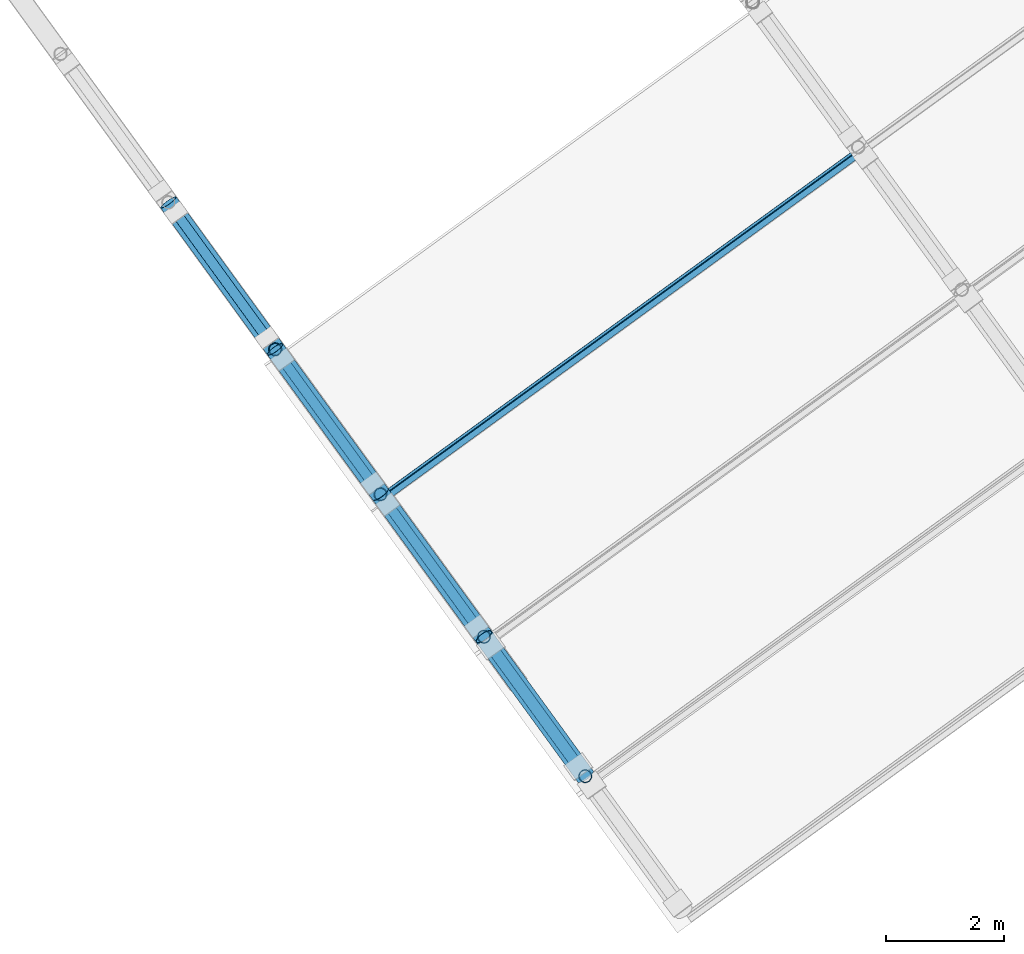
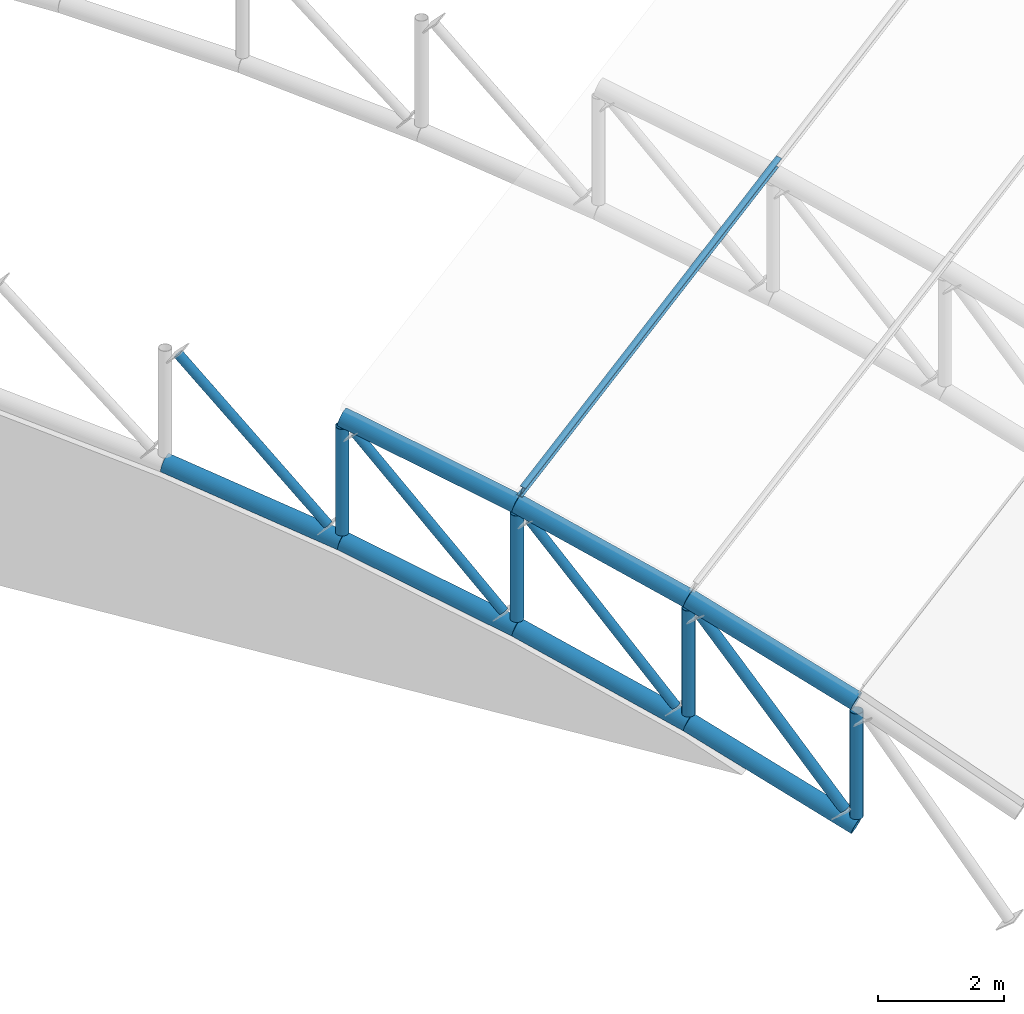
# One storey, part 14 of 69: 15 members, 1 beam.
"""IFC4 building model written with IfcOpenShell, lengths in metres."""

from ifc_helpers import new_model, si_unit, direction, frame, origin, origin_2d, place, context, subcontext, project, spatial, hollow_circle, i_section, extrude, material, material_profile, profile_set, type_object, element, save


model = new_model("IFC4")

# Units and contexts
model_context = context("Model", 3, precision=1e-05, world=origin(), true_north=direction((0.0, 1.0)))
body_context = subcontext(model_context, "Body", "Model", "MODEL_VIEW")
ifc_project = project(units=[si_unit("LENGTHUNIT", "METRE"), si_unit("AREAUNIT", "SQUARE_METRE"), si_unit("VOLUMEUNIT", "CUBIC_METRE"), si_unit("PLANEANGLEUNIT", "RADIAN"), si_unit("MASSUNIT", "GRAM", prefix="KILO")], contexts=[model_context])

# Site, building, storey
site_placement = place(None, origin())
site = spatial("IfcSite", under=ifc_project, at=site_placement, CompositionType="ELEMENT")
building_placement = place(site_placement, origin())
building = spatial("IfcBuilding", under=site, at=building_placement, Name="Okhra Congress Centre", CompositionType="ELEMENT")
storey_placement = place(building_placement, frame((0.0, 0.0, 16.800048828125)))
storey = spatial("IfcBuildingStorey", under=building, at=storey_placement, Name="L03", CompositionType="ELEMENT", Elevation=16.800048828125)

# Members
ifc_material_1 = material(Name="Steel S355J2H", Category="steel")
ifc_material_profile_1 = material_profile(ifc_material_1, hollow_circle(Radius=0.084228515625, WallThickness=0.00634765625, at=origin_2d()), Name="CHS 168.3x6.3")
ifc_profile_set_1 = profile_set([ifc_material_profile_1], Name="Steel S355J2H")
member_type_1 = type_object("IfcMemberType", Name="CHS 168.3x6.3", PredefinedType="BRACE", material=ifc_profile_set_1)
member_1_placement = place(storey_placement, frame((224.667724609375, 163.187255859375, 0.876220703125), z_axis=(-0.388305830606, 0.534492302501, 0.750690722258), x_axis=(-0.809035390265, -0.587759931689, 0.0)))
element("IfcMember", 1, at=member_1_placement, inside=storey, type_object=member_type_1, Name="Truss 1 diagonal 4", PredefinedType="BRACE", context=body_context, shape_type="SweptSolid", body=[
    extrude(hollow_circle(Radius=0.084228515625, WallThickness=0.00634765625, at=origin_2d()), origin(), (0.0, 0.0, 1.0), 3.8427734375),
])
member_2_placement = place(storey_placement, frame((222.9072265625, 165.6103515625, 1.861572265625), z_axis=(-0.403566104127, 0.555431833884, 0.727069375994), x_axis=(-0.809002272195, -0.587805515102, 0.0)))
element("IfcMember", 2, at=member_2_placement, inside=storey, type_object=member_type_1, Name="Truss 1 diagonal 5", PredefinedType="BRACE", context=body_context, shape_type="SweptSolid", body=[
    extrude(hollow_circle(Radius=0.084228515625, WallThickness=0.00634765625, at=origin_2d()), origin(), (0.0, 0.0, 1.0), 3.753662109375),
])
member_3_placement = place(storey_placement, frame((221.115234375, 168.0771484375, 2.67236328125), z_axis=(-0.418439949368, 0.575872140845, 0.702338441331), x_axis=(-0.808987367589, -0.587826027904, 0.0)))
element("IfcMember", 3, at=member_3_placement, inside=storey, type_object=member_type_1, Name="Truss 1 diagonal 6", PredefinedType="BRACE", context=body_context, shape_type="SweptSolid", body=[
    extrude(hollow_circle(Radius=0.084228515625, WallThickness=0.00634765625, at=origin_2d()), origin(), (0.0, 0.0, 1.0), 3.658203125),
])
ifc_material_profile_2 = material_profile(ifc_material_1, hollow_circle(Radius=0.096923828125, WallThickness=0.010009765625, at=origin_2d()), Name="CHS 193.7x10")
ifc_profile_set_2 = profile_set([ifc_material_profile_2], Name="Steel S355J2H")
member_type_2 = type_object("IfcMemberType", Name="CHS 193.7x10", PredefinedType="BRACE", material=ifc_profile_set_2)
member_4_placement = place(storey_placement, frame((226.39111328125, 160.815185546875, -0.28076171875), z_axis=(-0.3727521496, 0.513012647098, 0.773223033081), x_axis=(-0.808997013889, -0.587812752089, 0.0)))
element("IfcMember", 4, at=member_4_placement, inside=storey, type_object=member_type_2, Name="Truss 1 diagonal 3", PredefinedType="BRACE", context=body_context, shape_type="SweptSolid", body=[
    extrude(hollow_circle(Radius=0.096923828125, WallThickness=0.010009765625, at=origin_2d()), origin(), (0.0, 0.0, 1.0), 3.95458984375),
])
ifc_material_profile_3 = material_profile(ifc_material_1, hollow_circle(Radius=0.109619140625, WallThickness=0.008056640625, at=origin_2d()), Name="CHS 219.1x8")
ifc_profile_set_3 = profile_set([ifc_material_profile_3], Name="Steel S355J2H")
member_type_3 = type_object("IfcMemberType", Name="CHS 219.1x8", PredefinedType="POST", material=ifc_profile_set_3)
member_5_placement = place(storey_placement, frame((226.511962890625, 160.64892578125, -0.353271484375), z_axis=(0.0, 0.0, 1.0), x_axis=(1.0, 0.0, 0.0)))
element("IfcMember", 5, at=member_5_placement, inside=storey, type_object=member_type_3, Name="Truss 1 post 2", PredefinedType="POST", context=body_context, shape_type="SweptSolid", body=[
    extrude(hollow_circle(Radius=0.109619140625, WallThickness=0.008056640625, at=origin_2d()), origin(), (0.0, 0.0, 1.0), 2.043212890625),
])
member_6_placement = place(storey_placement, frame((224.796142578125, 163.010498046875, 0.80224609375), z_axis=(0.0, 0.0, 1.0), x_axis=(1.0, 0.0, 0.0)))
element("IfcMember", 6, at=member_6_placement, inside=storey, type_object=member_type_3, Name="Truss 1 post 3", PredefinedType="POST", context=body_context, shape_type="SweptSolid", body=[
    extrude(hollow_circle(Radius=0.109619140625, WallThickness=0.008056640625, at=origin_2d()), origin(), (0.0, 0.0, 1.0), 2.05126953125),
])
member_7_placement = place(storey_placement, frame((223.04345703125, 165.4228515625, 1.787109375), z_axis=(0.0, 0.0, 1.0), x_axis=(1.0, 0.0, 0.0)))
element("IfcMember", 7, at=member_7_placement, inside=storey, type_object=member_type_3, Name="Truss 1 post 4", PredefinedType="POST", context=body_context, shape_type="SweptSolid", body=[
    extrude(hollow_circle(Radius=0.109619140625, WallThickness=0.008056640625, at=origin_2d()), origin(), (0.0, 0.0, 1.0), 2.057861328125),
])
member_8_placement = place(storey_placement, frame((221.260009765625, 167.87744140625, 2.597412109375), z_axis=(0.0, 0.0, 1.0), x_axis=(1.0, 0.0, 0.0)))
element("IfcMember", 8, at=member_8_placement, inside=storey, type_object=member_type_3, Name="Truss 1 post 5", PredefinedType="POST", context=body_context, shape_type="SweptSolid", body=[
    extrude(hollow_circle(Radius=0.109619140625, WallThickness=0.008056640625, at=origin_2d()), origin(), (0.0, 0.0, 1.0), 2.063232421875),
])
ifc_material_profile_4 = material_profile(ifc_material_1, hollow_circle(Radius=0.161865234375, WallThickness=0.012451171875, at=origin_2d()), Name="CHS 323.9x12.5")
ifc_profile_set_4 = profile_set([ifc_material_profile_4], Name="Steel S355J2H")
member_type_4 = type_object("IfcMemberType", Name="CHS 323.9x12.5", PredefinedType="CHORD", material=ifc_profile_set_4)
for number, where, z_axis, x_axis, name in (
    (9, (226.511962890625, 160.64892578125, -0.53173828125), (-0.546265295886, 0.751853188262, 0.369203209371), (-0.80901086452, -0.587793689222, 0.0), "Truss 1 bottom chord 3"),
    (10, (226.511962890625, 160.64892578125, 1.8681640625), (-0.546249618706, 0.751831610948, 0.369270338428), (-0.80901086452, -0.587793689222, 0.0), "Truss 1 top chord 3"),
):
    element("IfcMember", number, at=place(storey_placement, frame(where, z_axis=z_axis, x_axis=x_axis)), inside=storey, type_object=member_type_4, Name=name, PredefinedType="CHORD", context=body_context, shape_type="SweptSolid", body=[
        extrude(hollow_circle(Radius=0.161865234375, WallThickness=0.012451171875, at=origin_2d()), origin(), (0.0, 0.0, 1.0), 3.14111328125),
    ])
for number, where, z_axis, x_axis, name in (
    (11, (224.796142578125, 163.010498046875, 0.6279296875), (-0.557954547664, 0.767954991708, 0.314534343836), (-0.809015698609, -0.587787035757, 0.0), "Truss 1 bottom chord 4"),
    (12, (224.796142578125, 163.010498046875, 3.028076171875), (-0.557954547664, 0.767954991708, 0.314534343836), (-0.809015698609, -0.587787035757, 0.0), "Truss 1 top chord 4"),
):
    element("IfcMember", number, at=place(storey_placement, frame(where, z_axis=z_axis, x_axis=x_axis)), inside=storey, type_object=member_type_4, Name=name, PredefinedType="CHORD", context=body_context, shape_type="SweptSolid", body=[
        extrude(hollow_circle(Radius=0.161865234375, WallThickness=0.012451171875, at=origin_2d()), origin(), (0.0, 0.0, 1.0), 3.141357421875),
    ])
for number, where, z_axis, x_axis, name in (
    (13, (223.04345703125, 165.4228515625, 1.615966796875), (-0.567774014658, 0.781437363911, 0.258821008735), (-0.809003930018, -0.587803233417, 0.0), "Truss 1 bottom chord 5"),
    (14, (223.04345703125, 165.4228515625, 4.01611328125), (-0.567774014658, 0.781437363911, 0.258821008735), (-0.809003930018, -0.587803233417, 0.0), "Truss 1 top chord 5"),
    (15, (221.260009765625, 167.87744140625, 2.428955078125), (-0.575620603169, 0.792313857508, 0.202236674243), (-0.80903112876, -0.587765797488, 0.0), "Truss 1 bottom chord 6"),
):
    element("IfcMember", number, at=place(storey_placement, frame(where, z_axis=z_axis, x_axis=x_axis)), inside=storey, type_object=member_type_4, Name=name, PredefinedType="CHORD", context=body_context, shape_type="SweptSolid", body=[
        extrude(hollow_circle(Radius=0.161865234375, WallThickness=0.012451171875, at=origin_2d()), origin(), (0.0, 0.0, 1.0), 3.14111328125),
    ])

# Beam
ifc_material_2 = material(Name="Steel S355J2", Category="steel")
ifc_material_profile_5 = material_profile(ifc_material_2, i_section(OverallWidth=0.10009765625, OverallDepth=0.199951171875, WebThickness=0.005615234375, FlangeThickness=0.008544921875, FilletRadius=0.011962890625, at=origin_2d()), Name="IPE 200")
ifc_profile_set_5 = profile_set([ifc_material_profile_5], Name="Steel S355J2")
beam_type = type_object("IfcBeamType", Name="IPE 200", PredefinedType="BEAM", material=ifc_profile_set_5)
beam_placement = place(storey_placement, frame((223.087158203125, 165.36279296875, 4.26416015625), z_axis=(0.809022099746, 0.587778225288, 0.0), x_axis=(-0.563085375393, 0.775034686786, 0.286803232717)))
element("IfcBeam", 16, at=beam_placement, inside=storey, type_object=beam_type, Name="Purlin 5.25", PredefinedType="BEAM", context=body_context, shape_type="SweptSolid", body=[
    extrude(i_section(OverallWidth=0.10009765625, OverallDepth=0.199951171875, WebThickness=0.005615234375, FlangeThickness=0.008544921875, FilletRadius=0.011962890625, at=origin_2d()), origin(), (0.0, 0.0, 1.0), 9.999755859375),
])

save(model, "model.ifc")
